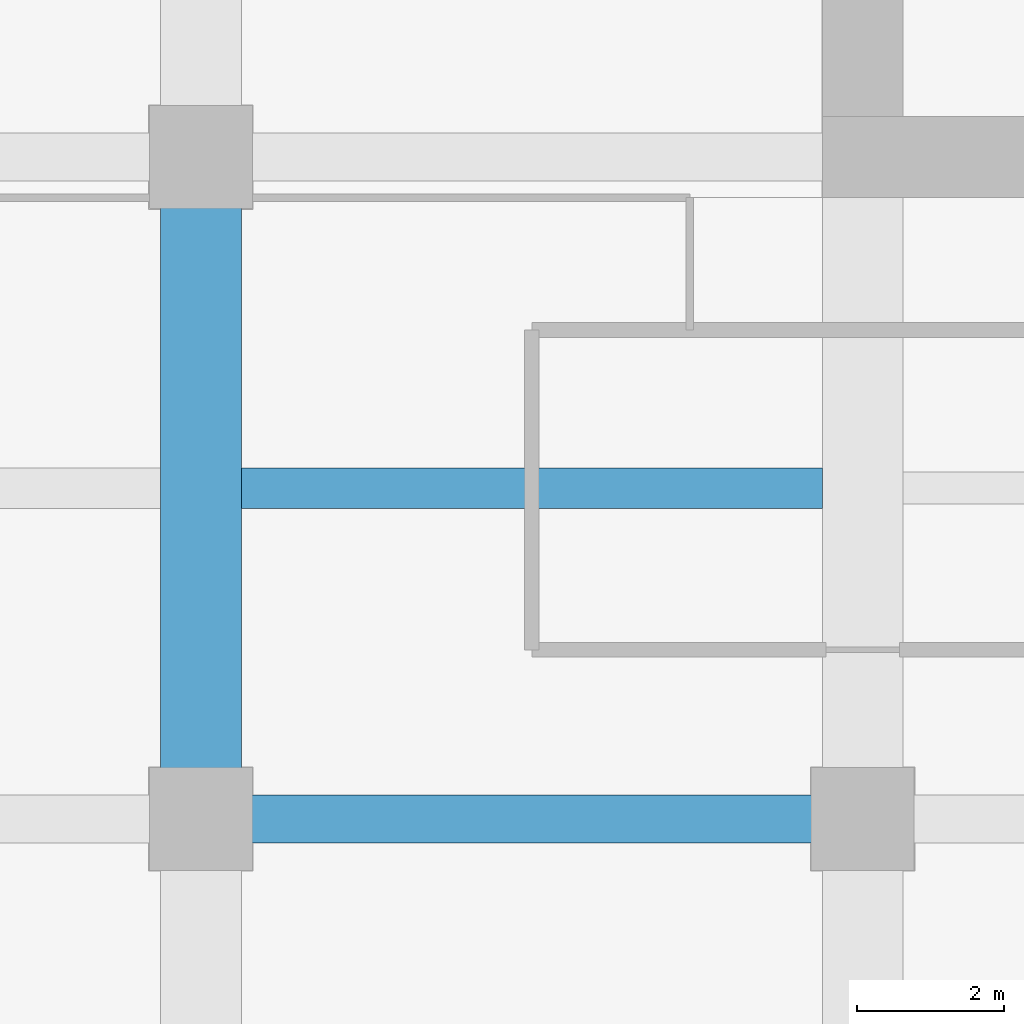
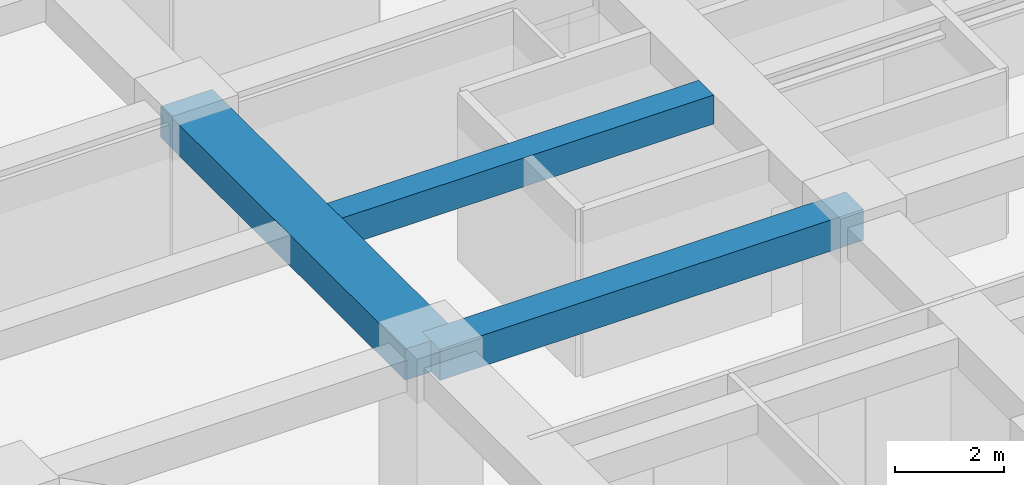
# One storey, part 5 of 33: 3 beams.
"""IFC4 building model written with IfcOpenShell, lengths in metres."""

from ifc_helpers import new_model, si_unit, direction, frame, origin, origin_2d, place, context, subcontext, project, spatial, rectangle, extrude, material, material_profile, profile_set, type_object, element, save


model = new_model("IFC4")

# Units and contexts
model_context = context("Model", 3, precision=1e-05, world=origin(), true_north=direction((0.0, 1.0)))
body_context = subcontext(model_context, "Body", "Model", "MODEL_VIEW")
ifc_project = project(units=[si_unit("LENGTHUNIT", "METRE"), si_unit("AREAUNIT", "SQUARE_METRE"), si_unit("VOLUMEUNIT", "CUBIC_METRE"), si_unit("PLANEANGLEUNIT", "RADIAN"), si_unit("MASSUNIT", "GRAM", prefix="KILO")], contexts=[model_context])

# Site, building, storey
site_placement = place(None, origin())
site = spatial("IfcSite", under=ifc_project, at=site_placement, CompositionType="ELEMENT")
building_placement = place(site_placement, origin())
building = spatial("IfcBuilding", under=site, at=building_placement, Name="Zorevar Civic Tower", CompositionType="ELEMENT")
storey_placement = place(building_placement, frame((0.0, 0.0, 210.199951171875)))
storey = spatial("IfcBuildingStorey", under=building, at=storey_placement, Name="L51", CompositionType="ELEMENT", Elevation=210.199951171875)

# Beams
ifc_material_1 = material(Name="Concrete C50/60", Category="concrete")
ifc_material_profile_1 = material_profile(ifc_material_1, rectangle(XDim=1.10009765625, YDim=0.699951171875, at=origin_2d()), Name="RC 1100x700")
ifc_profile_set_1 = profile_set([ifc_material_profile_1], Name="Concrete C50/60")
beam_type_1 = type_object("IfcBeamType", Name="Beam RC 1100x700", PredefinedType="BEAM", material=ifc_profile_set_1)
beam_1_placement = place(storey_placement, frame((9.0, 9.0, 3.400146484375), z_axis=(0.0, 1.0, 0.0), x_axis=(-1.0, 0.0, 0.0)))
element("IfcBeam", 1, at=beam_1_placement, inside=storey, type_object=beam_type_1, Name="Girder L52", PredefinedType="BEAM", context=body_context, shape_type="SweptSolid", body=[
    extrude(rectangle(XDim=1.10009765625, YDim=0.699951171875, at=origin_2d()), origin(), (0.0, 0.0, 1.0), 9.0),
])
ifc_material_2 = material(Name="Concrete C50/60", Category="concrete")
ifc_material_profile_2 = material_profile(ifc_material_2, rectangle(XDim=0.550048828125, YDim=0.64990234375, at=origin_2d()), Name="RC 550x650")
ifc_profile_set_2 = profile_set([ifc_material_profile_2], Name="Concrete C50/60")
beam_type_2 = type_object("IfcBeamType", Name="Beam RC 550x650", PredefinedType="BEAM", material=ifc_profile_set_2)
beam_2_placement = place(storey_placement, frame((9.550048828125, 13.5, 3.425048828125), z_axis=(1.0, 0.0, 0.0), x_axis=(0.0, 1.0, 0.0)))
element("IfcBeam", 2, at=beam_2_placement, inside=storey, type_object=beam_type_2, Name="Secondary beam L52", PredefinedType="BEAM", context=body_context, shape_type="SweptSolid", body=[
    extrude(rectangle(XDim=0.550048828125, YDim=0.64990234375, at=origin_2d()), origin(), (0.0, 0.0, 1.0), 7.89990234375),
])
ifc_material_3 = material(Name="Concrete C50/60", Category="concrete")
ifc_material_profile_3 = material_profile(ifc_material_3, rectangle(XDim=0.64990234375, YDim=0.699951171875, at=origin_2d()), Name="RC 650x700")
ifc_profile_set_3 = profile_set([ifc_material_profile_3], Name="Concrete C50/60")
beam_type_3 = type_object("IfcBeamType", Name="Beam RC 650x700", PredefinedType="BEAM", material=ifc_profile_set_3)
beam_3_placement = place(storey_placement, frame((9.0, 9.0, 3.400146484375), z_axis=(1.0, 0.0, 0.0), x_axis=(0.0, 1.0, 0.0)))
element("IfcBeam", 3, at=beam_3_placement, inside=storey, type_object=beam_type_3, Name="Girder L52", PredefinedType="BEAM", context=body_context, shape_type="SweptSolid", body=[
    extrude(rectangle(XDim=0.64990234375, YDim=0.699951171875, at=origin_2d()), origin(), (0.0, 0.0, 1.0), 9.0),
])

save(model, "model.ifc")
